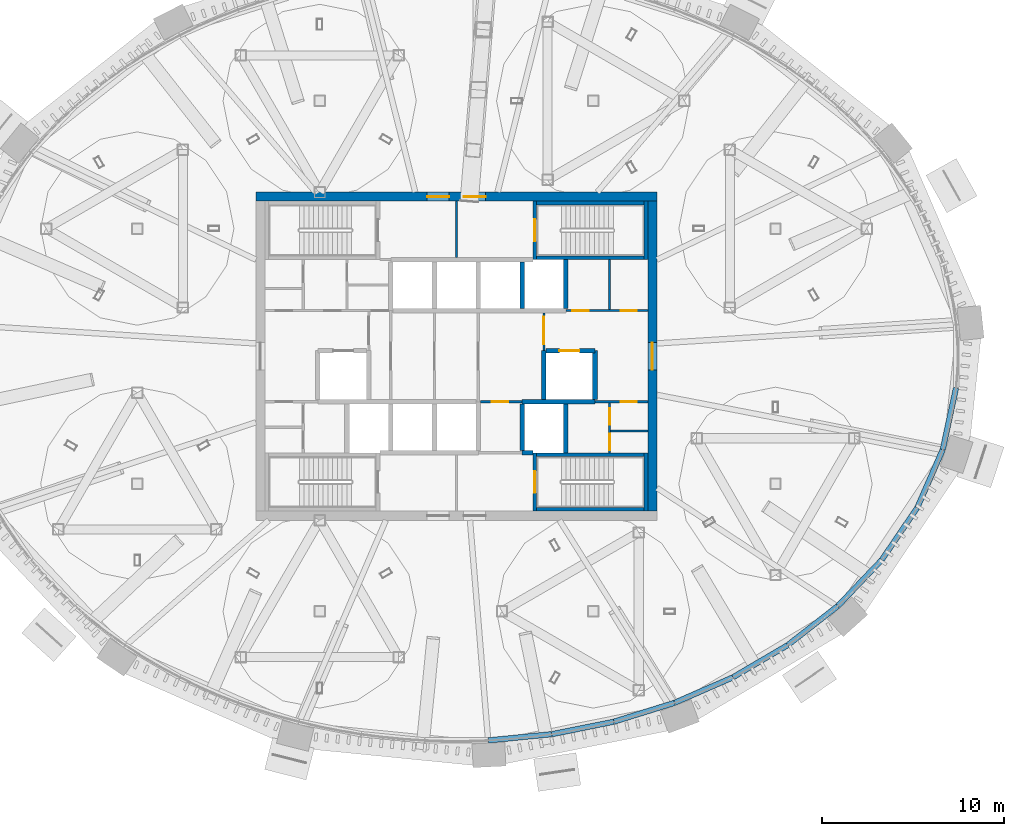
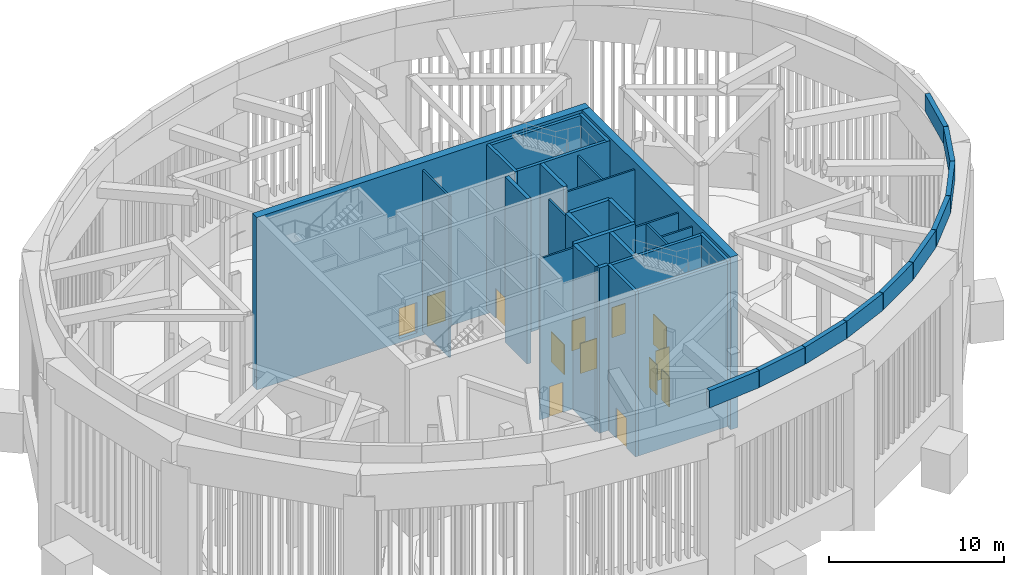
# One storey, part 8 of 14: 37 walls, 13 doors, 13 openings.
"""IFC4 building model written with IfcOpenShell, lengths in metres."""

from ifc_helpers import new_model, si_unit, direction, frame, frame_2d, origin, place, context, subcontext, project, spatial, rectangle, extrude, source, transform, mapped, material, layer, layer_set, type_object, element, fill, save


model = new_model("IFC4")

# Units and contexts
model_context = context("Model", 3, precision=1e-05, world=origin(), true_north=direction((0.0, 1.0)))
body_context = subcontext(model_context, "Body", "Model", "MODEL_VIEW")
ifc_project = project(units=[si_unit("LENGTHUNIT", "METRE"), si_unit("AREAUNIT", "SQUARE_METRE"), si_unit("VOLUMEUNIT", "CUBIC_METRE"), si_unit("PLANEANGLEUNIT", "RADIAN"), si_unit("MASSUNIT", "GRAM", prefix="KILO")], contexts=[model_context])

# Site, building, storey
site_placement = place(None, origin())
site = spatial("IfcSite", under=ifc_project, at=site_placement, CompositionType="ELEMENT")
building_placement = place(site_placement, origin())
building = spatial("IfcBuilding", under=site, at=building_placement, Name="Embergate Tower", CompositionType="ELEMENT")
storey_placement = place(building_placement, frame((0.0, 0.0, 340.0)))
storey = spatial("IfcBuildingStorey", under=building, at=storey_placement, Name="L79", CompositionType="ELEMENT", Elevation=340.0)

# Wall, openings, doors
ifc_material_1 = material(Name="Concrete C50", Category="concrete")
ifc_layer_1 = layer(ifc_material_1, 0.5)
ifc_layer_set_1 = layer_set([ifc_layer_1], Name="Concrete C50")
wall_type_1 = type_object("IfcWallType", Name="Core outer wall C50 500", PredefinedType="SHEAR", material=ifc_layer_set_1)
shared_shape_1 = source(origin(), body_context, "Body", "SweptSolid", [
    extrude(rectangle(XDim=22.0, YDim=0.5, at=frame_2d((11.0, 0.0))), origin(), (0.0, 0.0, 1.0), 12.050048828125),
])
wall_1_placement = place(storey_placement, frame((-11.0, 8.75, -0.300048828125), z_axis=(0.0, 0.0, 1.0), x_axis=(1.0, 0.0, 0.0)))
wall_1 = element("IfcWall", 1, at=wall_1_placement, inside=storey, type_object=wall_type_1, Name="CW-L79-N", PredefinedType="SHEAR", context=body_context, shape_type="MappedRepresentation", body=[
    mapped(shared_shape_1, transform((0.0, 0.0, 0.0))),
])
shared_shape_2 = source(origin(), body_context, "Body", "SweptSolid", [
    extrude(rectangle(XDim=1.199951171875, YDim=2.10009765625, at=frame_2d((0.60009765625, 1.050048828125))), frame((0.0, 0.260009765625, 0.0), z_axis=(0.0, -1.0, 0.0), x_axis=(1.0, 0.0, 0.0)), (0.0, 0.0, 1.0), 0.52001953125),
])
opening_1_placement = place(wall_1_placement, frame((9.39990234375, 0.0, 0.300048828125)))
opening_1 = element("IfcOpeningElement", 2, at=opening_1_placement, cuts=wall_1, Name="Opening IF-1", PredefinedType="OPENING", context=body_context, shape_type="MappedRepresentation", body=[
    mapped(shared_shape_2, transform((0.0, 0.0, 0.0))),
])
opening_2_placement = place(wall_1_placement, frame((11.39990234375, 0.0, 0.300048828125)))
opening_2 = element("IfcOpeningElement", 3, at=opening_2_placement, cuts=wall_1, Name="Opening IF-1", PredefinedType="OPENING", context=body_context, shape_type="MappedRepresentation", body=[
    mapped(shared_shape_2, transform((0.0, 0.0, 0.0))),
])
ifc_material_2 = material(Name="Escape fire door 1200")
door_type_1 = type_object("IfcDoorType", Name="Escape fire door 1200", OperationType="SINGLE_SWING_LEFT", PredefinedType="DOOR", material=ifc_material_2)
shared_shape_3 = source(origin(), body_context, "Body", "SweptSolid", [
    extrude(rectangle(XDim=1.199951171875, YDim=2.10009765625, at=frame_2d((0.60009765625, 1.050048828125))), frame((0.0, 0.02490234375, 0.0), z_axis=(0.0, -1.0, 0.0), x_axis=(1.0, 0.0, 0.0)), (0.0, 0.0, 1.0), 0.050048828125),
])
door_1_placement = place(opening_1_placement, origin())
door_1 = element("IfcDoor", 4, at=door_1_placement, inside=storey, type_object=door_type_1, Name="IF-1 door", OperationType="SINGLE_SWING_RIGHT", OverallHeight=2.10009765625, OverallWidth=1.199951171875, PredefinedType="DOOR", context=body_context, shape_type="MappedRepresentation", body=[
    mapped(shared_shape_3, transform((0.0, 0.0, 0.0))),
])
fill(opening_1, door_1)
door_2_placement = place(opening_2_placement, origin())
door_2 = element("IfcDoor", 5, at=door_2_placement, inside=storey, type_object=door_type_1, Name="IF-1 door", OperationType="SINGLE_SWING_RIGHT", OverallHeight=2.10009765625, OverallWidth=1.199951171875, PredefinedType="DOOR", context=body_context, shape_type="MappedRepresentation", body=[
    mapped(shared_shape_3, transform((0.0, 0.0, 0.0))),
])
fill(opening_2, door_2)

# Wall, opening, door
shared_shape_4 = source(origin(), body_context, "Body", "SweptSolid", [
    extrude(rectangle(XDim=17.0, YDim=0.5, at=frame_2d((8.5, 0.0))), origin(), (0.0, 0.0, 1.0), 12.050048828125),
])
wall_2_placement = place(storey_placement, frame((10.75, -8.5, -0.300048828125), z_axis=(0.0, 0.0, 1.0), x_axis=(0.0, 1.0, 0.0)))
wall_2 = element("IfcWall", 6, at=wall_2_placement, inside=storey, type_object=wall_type_1, Name="CW-L79-E", PredefinedType="SHEAR", context=body_context, shape_type="MappedRepresentation", body=[
    mapped(shared_shape_4, transform((0.0, 0.0, 0.0))),
])
shared_shape_5 = source(origin(), body_context, "Body", "SweptSolid", [
    extrude(rectangle(XDim=1.5, YDim=2.10009765625, at=frame_2d((0.75, 1.050048828125))), frame((0.0, 0.260009765625, 0.0), z_axis=(0.0, -1.0, 0.0), x_axis=(1.0, 0.0, 0.0)), (0.0, 0.0, 1.0), 0.52001953125),
])
opening_3_placement = place(wall_2_placement, frame((7.75, 0.0, 0.300048828125)))
opening_3 = element("IfcOpeningElement", 7, at=opening_3_placement, cuts=wall_2, Name="Opening IF-3", PredefinedType="OPENING", context=body_context, shape_type="MappedRepresentation", body=[
    mapped(shared_shape_5, transform((0.0, 0.0, 0.0))),
])
ifc_material_3 = material(Name="Lobby fire door pair 1500")
door_type_2 = type_object("IfcDoorType", Name="Lobby fire door pair 1500", OperationType="DOUBLE_DOOR_SINGLE_SWING", PredefinedType="DOOR", material=ifc_material_3)
shared_shape_6 = source(origin(), body_context, "Body", "SweptSolid", [
    extrude(rectangle(XDim=1.5, YDim=2.10009765625, at=frame_2d((0.75, 1.050048828125))), frame((0.0, 0.02490234375, 0.0), z_axis=(0.0, -1.0, 0.0), x_axis=(1.0, 0.0, 0.0)), (0.0, 0.0, 1.0), 0.050048828125),
])
door_3_placement = place(opening_3_placement, origin())
door_3 = element("IfcDoor", 8, at=door_3_placement, inside=storey, type_object=door_type_2, Name="IF-3 door", OperationType="DOUBLE_DOOR_SINGLE_SWING", OverallHeight=2.10009765625, OverallWidth=1.5, PredefinedType="DOOR", context=body_context, shape_type="MappedRepresentation", body=[
    mapped(shared_shape_6, transform((0.0, 0.0, 0.0))),
])
fill(opening_3, door_3)

# Walls
ifc_material_4 = material(Name="Brick masonry with terracotta coping", Category="masonry")
ifc_layer_2 = layer(ifc_material_4, 0.300048828125)
ifc_layer_set_2 = layer_set([ifc_layer_2], Name="Brick masonry with terracotta coping")
wall_type_2 = type_object("IfcWallType", Name="Roof edge parapet", PredefinedType="PARAPET", material=ifc_layer_set_2)
shared_shape_7 = source(origin(), body_context, "Body", "SweptSolid", [
    extrude(rectangle(XDim=3.449462890625, YDim=0.300048828125, at=frame_2d((1.724609375, 0.0))), origin(), (0.0, 0.0, 1.0), 1.199951171875),
])
wall_3_placement = place(storey_placement, frame((26.675048828125, -5.1162109375, 12.0), z_axis=(0.0, 0.0, 1.0), x_axis=(0.21041351553, 0.977612475617, 0.0)))
element("IfcWall", 9, at=wall_3_placement, inside=storey, type_object=wall_type_2, Name="Roof edge parapet 43", PredefinedType="PARAPET", context=body_context, shape_type="MappedRepresentation", body=[
    mapped(shared_shape_7, transform((0.0, 0.0, 0.0))),
])
shared_shape_8 = source(origin(), body_context, "Body", "SweptSolid", [
    extrude(rectangle(XDim=3.453369140625, YDim=0.300048828125, at=frame_2d((1.7265625, 0.0))), origin(), (0.0, 0.0, 1.0), 1.199951171875),
])
wall_4_placement = place(storey_placement, frame((25.281982421875, -8.2978515625, 12.0), z_axis=(0.0, 0.0, 1.0), x_axis=(0.401627168465, 0.915803263562, 0.0)))
element("IfcWall", 10, at=wall_4_placement, inside=storey, type_object=wall_type_2, Name="Roof edge parapet 42", PredefinedType="PARAPET", context=body_context, shape_type="MappedRepresentation", body=[
    mapped(shared_shape_8, transform((0.0, 0.0, 0.0))),
])
shared_shape_9 = source(origin(), body_context, "Body", "SweptSolid", [
    extrude(rectangle(XDim=3.455810546875, YDim=0.300048828125, at=frame_2d((1.72802734375, 0.0))), origin(), (0.0, 0.0, 1.0), 1.199951171875),
])
wall_5_placement = place(storey_placement, frame((23.32861328125, -11.172607421875, 12.0), z_axis=(0.0, 0.0, 1.0), x_axis=(0.562468457955, 0.826818743018, 0.0)))
element("IfcWall", 11, at=wall_5_placement, inside=storey, type_object=wall_type_2, Name="Roof edge parapet 41", PredefinedType="PARAPET", context=body_context, shape_type="MappedRepresentation", body=[
    mapped(shared_shape_9, transform((0.0, 0.0, 0.0))),
])
shared_shape_10 = source(origin(), body_context, "Body", "SweptSolid", [
    extrude(rectangle(XDim=3.460693359375, YDim=0.300048828125, at=frame_2d((1.73046875, 0.0))), origin(), (0.0, 0.0, 1.0), 1.199951171875),
])
wall_6_placement = place(storey_placement, frame((20.927978515625, -13.69287109375, 12.0), z_axis=(0.0, 0.0, 1.0), x_axis=(0.690081348948, 0.723731809329, 0.0)))
element("IfcWall", 12, at=wall_6_placement, inside=storey, type_object=wall_type_2, Name="Roof edge parapet 40", PredefinedType="PARAPET", context=body_context, shape_type="MappedRepresentation", body=[
    mapped(shared_shape_10, transform((0.0, 0.0, 0.0))),
])
shared_shape_11 = source(origin(), body_context, "Body", "SweptSolid", [
    extrude(rectangle(XDim=3.4638671875, YDim=0.300048828125, at=frame_2d((1.73193359375, 0.0))), origin(), (0.0, 0.0, 1.0), 1.199951171875),
])
wall_7_placement = place(storey_placement, frame((18.182861328125, -15.837890625, 12.0), z_axis=(0.0, 0.0, 1.0), x_axis=(0.78821988473, 0.615393705945, 0.0)))
element("IfcWall", 13, at=wall_7_placement, inside=storey, type_object=wall_type_2, Name="Roof edge parapet 39", PredefinedType="PARAPET", context=body_context, shape_type="MappedRepresentation", body=[
    mapped(shared_shape_11, transform((0.0, 0.0, 0.0))),
])
shared_shape_12 = source(origin(), body_context, "Body", "SweptSolid", [
    extrude(rectangle(XDim=3.465576171875, YDim=0.300048828125, at=frame_2d((1.73291015625, 0.0))), origin(), (0.0, 0.0, 1.0), 1.199951171875),
])
wall_8_placement = place(storey_placement, frame((15.1787109375, -17.60498046875, 12.0), z_axis=(0.0, 0.0, 1.0), x_axis=(0.862144217858, 0.506662952675, 0.0)))
element("IfcWall", 14, at=wall_8_placement, inside=storey, type_object=wall_type_2, Name="Roof edge parapet 38", PredefinedType="PARAPET", context=body_context, shape_type="MappedRepresentation", body=[
    mapped(shared_shape_12, transform((0.0, 0.0, 0.0))),
])
shared_shape_13 = source(origin(), body_context, "Body", "SweptSolid", [
    extrude(rectangle(XDim=3.468505859375, YDim=0.300048828125, at=frame_2d((1.734375, 0.0))), origin(), (0.0, 0.0, 1.0), 1.199951171875),
])
wall_9_placement = place(storey_placement, frame((11.983154296875, -19.00390625, 12.0), z_axis=(0.0, 0.0, 1.0), x_axis=(0.916196102807, 0.400730209994, 0.0)))
element("IfcWall", 15, at=wall_9_placement, inside=storey, type_object=wall_type_2, Name="Roof edge parapet 37", PredefinedType="PARAPET", context=body_context, shape_type="MappedRepresentation", body=[
    mapped(shared_shape_13, transform((0.0, 0.0, 0.0))),
])
shared_shape_14 = source(origin(), body_context, "Body", "SweptSolid", [
    extrude(rectangle(XDim=3.469970703125, YDim=0.300048828125, at=frame_2d((1.73486328125, 0.0))), origin(), (0.0, 0.0, 1.0), 1.199951171875),
])
for number, where, z_axis, x_axis, name in (
    (16, (5.229736328125, -20.72998046875, 12.0), (0.0, 0.0, 1.0), (0.980502121513, 0.196508497803, 0.0), "Roof edge parapet 35"),
    (17, (8.651611328125, -20.04296875, 12.0), (0.0, 0.0, 1.0), (0.954752495832, 0.297401532784, 0.0), "Roof edge parapet 36"),
):
    element("IfcWall", number, at=place(storey_placement, frame(where, z_axis=z_axis, x_axis=x_axis)), inside=storey, type_object=wall_type_2, Name=name, PredefinedType="PARAPET", context=body_context, shape_type="MappedRepresentation", body=[
        mapped(shared_shape_14, transform((0.0, 0.0, 0.0))),
    ])
shared_shape_15 = source(origin(), body_context, "Body", "SweptSolid", [
    extrude(rectangle(XDim=3.470458984375, YDim=0.300048828125, at=frame_2d((1.7353515625, 0.0))), origin(), (0.0, 0.0, 1.0), 1.199951171875),
])
wall_10_placement = place(storey_placement, frame((1.756103515625, -21.072021484375, 12.0), z_axis=(0.0, 0.0, 1.0), x_axis=(0.99521458466, 0.097713512271, 0.0)))
element("IfcWall", 18, at=wall_10_placement, inside=storey, type_object=wall_type_2, Name="Roof edge parapet 34", PredefinedType="PARAPET", context=body_context, shape_type="MappedRepresentation", body=[
    mapped(shared_shape_15, transform((0.0, 0.0, 0.0))),
])
ifc_layer_3 = layer(ifc_material_1, 0.199951171875)
ifc_layer_set_3 = layer_set([ifc_layer_3], Name="Concrete C50")
wall_type_3 = type_object("IfcWallType", Name="Stair enclosure wall reinforced concrete 250", PredefinedType="SHEAR", material=ifc_layer_set_3)
shared_shape_16 = source(origin(), body_context, "Body", "SweptSolid", [
    extrude(rectangle(XDim=6.300048828125, YDim=0.199951171875, at=frame_2d((3.14990234375, 0.0))), origin(), (0.0, 0.0, 1.0), 11.550048828125),
])
for number, where, z_axis, x_axis, name in (
    (19, (10.5, 5.39990234375, 0.0), (0.0, 0.0, 1.0), (-1.0, 0.0, 0.0), "SE-1 wall"),
    (20, (4.199951171875, -5.39990234375, 0.0), (0.0, 0.0, 1.0), (1.0, 0.0, 0.0), "SE-1 wall"),
):
    element("IfcWall", number, at=place(storey_placement, frame(where, z_axis=z_axis, x_axis=x_axis)), inside=storey, type_object=wall_type_3, Name=name, PredefinedType="SHEAR", context=body_context, shape_type="MappedRepresentation", body=[
        mapped(shared_shape_16, transform((0.0, 0.0, 0.0))),
    ])
ifc_material_5 = material(Name="Core partition blockwork 120")
ifc_layer_4 = layer(ifc_material_5, 0.1201171875)
ifc_layer_set_4 = layer_set([ifc_layer_4], Name="Core partition blockwork 120")
wall_type_4 = type_object("IfcWallType", Name="Core partition blockwork 120", PredefinedType="PARTITIONING", material=ifc_layer_set_4)
shared_shape_17 = source(origin(), body_context, "Body", "SweptSolid", [
    extrude(rectangle(XDim=2.739990234375, YDim=0.1201171875, at=frame_2d((1.3701171875, 0.0))), origin(), (0.0, 0.0, 1.0), 11.25),
])
wall_11_placement = place(storey_placement, frame((8.39990234375, 2.56005859375, 0.0), z_axis=(0.0, 0.0, 1.0), x_axis=(0.0, 1.0, 0.0)))
element("IfcWall", 21, at=wall_11_placement, inside=storey, type_object=wall_type_4, Name="IP-3 wall", PredefinedType="PARTITIONING", context=body_context, shape_type="MappedRepresentation", body=[
    mapped(shared_shape_17, transform((0.0, 0.0, 0.0))),
])

# Wall, openings, doors
wall_12_placement = place(storey_placement, frame((8.39990234375, -5.300048828125, 0.0), z_axis=(0.0, 0.0, 1.0), x_axis=(0.0, 1.0, 0.0)))
wall_12 = element("IfcWall", 22, at=wall_12_placement, inside=storey, type_object=wall_type_4, Name="IP-3 wall", PredefinedType="PARTITIONING", context=body_context, shape_type="MappedRepresentation", body=[
    mapped(shared_shape_17, transform((0.0, 0.0, 0.0))),
])
shared_shape_18 = source(origin(), body_context, "Body", "SweptSolid", [
    extrude(rectangle(XDim=0.89990234375, YDim=2.10009765625, at=frame_2d((0.449951171875, 1.050048828125))), frame((0.0, 0.070068359375, 0.0), z_axis=(0.0, -1.0, 0.0), x_axis=(1.0, 0.0, 0.0)), (0.0, 0.0, 1.0), 0.14013671875),
])
opening_4_placement = place(wall_12_placement, frame((1.552001953125, 0.0, 0.0)))
opening_4 = element("IfcOpeningElement", 23, at=opening_4_placement, cuts=wall_12, Name="Opening ID-1", PredefinedType="OPENING", context=body_context, shape_type="MappedRepresentation", body=[
    mapped(shared_shape_18, transform((0.0, 0.0, 0.0))),
])
opening_5_placement = place(wall_12_placement, frame((0.152099609375, 0.0, 0.0)))
opening_5 = element("IfcOpeningElement", 24, at=opening_5_placement, cuts=wall_12, Name="Opening ID-1", PredefinedType="OPENING", context=body_context, shape_type="MappedRepresentation", body=[
    mapped(shared_shape_18, transform((0.0, 0.0, 0.0))),
])
ifc_material_6 = material(Name="Interior door 900")
door_type_3 = type_object("IfcDoorType", Name="Interior door 900", OperationType="SINGLE_SWING_LEFT", PredefinedType="DOOR", material=ifc_material_6)
shared_shape_19 = source(origin(), body_context, "Body", "SweptSolid", [
    extrude(rectangle(XDim=0.89990234375, YDim=2.10009765625, at=frame_2d((0.449951171875, 1.050048828125))), frame((0.0, 0.02490234375, 0.0), z_axis=(0.0, -1.0, 0.0), x_axis=(1.0, 0.0, 0.0)), (0.0, 0.0, 1.0), 0.050048828125),
])
door_4_placement = place(opening_4_placement, origin())
door_4 = element("IfcDoor", 25, at=door_4_placement, inside=storey, type_object=door_type_3, Name="ID-1 door", OperationType="SINGLE_SWING_LEFT", OverallHeight=2.10009765625, OverallWidth=0.89990234375, PredefinedType="DOOR", context=body_context, shape_type="MappedRepresentation", body=[
    mapped(shared_shape_19, transform((0.0, 0.0, 0.0))),
])
fill(opening_4, door_4)
door_5_placement = place(opening_5_placement, origin())
door_5 = element("IfcDoor", 26, at=door_5_placement, inside=storey, type_object=door_type_3, Name="ID-1 door", OperationType="SINGLE_SWING_RIGHT", OverallHeight=2.10009765625, OverallWidth=0.89990234375, PredefinedType="DOOR", context=body_context, shape_type="MappedRepresentation", body=[
    mapped(shared_shape_19, transform((0.0, 0.0, 0.0))),
])
fill(opening_5, door_5)

# Walls
ifc_layer_5 = layer(ifc_material_1, 0.25)
ifc_layer_set_5 = layer_set([ifc_layer_5], Name="Concrete C50")
wall_type_5 = type_object("IfcWallType", Name="Hoistway wall reinforced concrete 250", PredefinedType="SHEAR", material=ifc_layer_set_5)
shared_shape_20 = source(origin(), body_context, "Body", "SweptSolid", [
    extrude(rectangle(XDim=2.550048828125, YDim=0.25, at=frame_2d((1.27490234375, 0.0))), origin(), (0.0, 0.0, 1.0), 11.550048828125),
])
for number, where, z_axis, x_axis, name in (
    (27, (3.60009765625, 2.625, 0.0), (0.0, 0.0, 1.0), (0.0, 1.0, 0.0), "HW-1 wall"),
    (28, (3.60009765625, -2.625, 0.0), (0.0, 0.0, 1.0), (0.0, -1.0, 0.0), "HW-1 wall"),
):
    element("IfcWall", number, at=place(storey_placement, frame(where, z_axis=z_axis, x_axis=x_axis)), inside=storey, type_object=wall_type_5, Name=name, PredefinedType="SHEAR", context=body_context, shape_type="MappedRepresentation", body=[
        mapped(shared_shape_20, transform((0.0, 0.0, 0.0))),
    ])
shared_shape_21 = source(origin(), body_context, "Body", "SweptSolid", [
    extrude(rectangle(XDim=2.675048828125, YDim=0.25, at=frame_2d((1.33740234375, 0.0))), origin(), (0.0, 0.0, 1.0), 11.550048828125),
])
for number, where, z_axis, x_axis, name in (
    (29, (6.0, 2.625, 0.0), (0.0, 0.0, 1.0), (0.0, 1.0, 0.0), "HW-1 wall"),
    (30, (6.0, -5.300048828125, 0.0), (0.0, 0.0, 1.0), (0.0, 1.0, 0.0), "HW-1 wall"),
    (31, (4.800048828125, -2.375, 0.0), (0.0, 0.0, 1.0), (0.0, 1.0, 0.0), "HW-1 wall"),
):
    element("IfcWall", number, at=place(storey_placement, frame(where, z_axis=z_axis, x_axis=x_axis)), inside=storey, type_object=wall_type_5, Name=name, PredefinedType="SHEAR", context=body_context, shape_type="MappedRepresentation", body=[
        mapped(shared_shape_21, transform((0.0, 0.0, 0.0))),
    ])

# Wall, opening, door
wall_13_placement = place(storey_placement, frame((7.60009765625, 0.300048828125, 0.0), z_axis=(0.0, 0.0, 1.0), x_axis=(-1.0, 0.0, 0.0)))
wall_13 = element("IfcWall", 32, at=wall_13_placement, inside=storey, type_object=wall_type_5, Name="HW-1 wall", PredefinedType="SHEAR", context=body_context, shape_type="MappedRepresentation", body=[
    mapped(shared_shape_21, transform((0.0, 0.0, 0.0))),
])
shared_shape_22 = source(origin(), body_context, "Body", "SweptSolid", [
    extrude(rectangle(XDim=1.10009765625, YDim=2.10009765625, at=frame_2d((0.550048828125, 1.050048828125))), frame((0.0, 0.135009765625, 0.0), z_axis=(0.0, -1.0, 0.0), x_axis=(1.0, 0.0, 0.0)), (0.0, 0.0, 1.0), 0.27001953125),
])
opening_6_placement = place(wall_13_placement, frame((0.85009765625, 0.0, 0.0)))
opening_6 = element("IfcOpeningElement", 33, at=opening_6_placement, cuts=wall_13, Name="Opening LD", PredefinedType="OPENING", context=body_context, shape_type="MappedRepresentation", body=[
    mapped(shared_shape_22, transform((0.0, 0.0, 0.0))),
])
ifc_material_7 = material(Name="Landing door sliding 1100")
door_type_4 = type_object("IfcDoorType", Name="Landing door sliding 1100", OperationType="SLIDING_TO_LEFT", PredefinedType="DOOR", material=ifc_material_7)
shared_shape_23 = source(origin(), body_context, "Body", "SweptSolid", [
    extrude(rectangle(XDim=1.10009765625, YDim=2.10009765625, at=frame_2d((0.550048828125, 1.050048828125))), frame((0.0, 0.02490234375, 0.0), z_axis=(0.0, -1.0, 0.0), x_axis=(1.0, 0.0, 0.0)), (0.0, 0.0, 1.0), 0.050048828125),
])
door_6_placement = place(opening_6_placement, origin())
door_6 = element("IfcDoor", 34, at=door_6_placement, inside=storey, type_object=door_type_4, Name="LD door", OperationType="SLIDING_TO_LEFT", OverallHeight=2.10009765625, OverallWidth=1.10009765625, PredefinedType="DOOR", context=body_context, shape_type="MappedRepresentation", body=[
    mapped(shared_shape_23, transform((0.0, 0.0, 0.0))),
])
fill(opening_6, door_6)

# Wall
wall_14_placement = place(storey_placement, frame((7.60009765625, -2.375, 0.0), z_axis=(0.0, 0.0, 1.0), x_axis=(0.0, 1.0, 0.0)))
element("IfcWall", 35, at=wall_14_placement, inside=storey, type_object=wall_type_5, Name="HW-1 wall", PredefinedType="SHEAR", context=body_context, shape_type="MappedRepresentation", body=[
    mapped(shared_shape_21, transform((0.0, 0.0, 0.0))),
])

# Wall, openings, doors
shared_shape_24 = source(origin(), body_context, "Body", "SweptSolid", [
    extrude(rectangle(XDim=4.5, YDim=0.1201171875, at=frame_2d((2.25, 0.0))), origin(), (0.0, 0.0, 1.0), 11.25),
])
wall_15_placement = place(storey_placement, frame((6.0, 2.5, 0.0), z_axis=(0.0, 0.0, 1.0), x_axis=(1.0, 0.0, 0.0)))
wall_15 = element("IfcWall", 36, at=wall_15_placement, inside=storey, type_object=wall_type_4, Name="IP-3 wall", PredefinedType="PARTITIONING", context=body_context, shape_type="MappedRepresentation", body=[
    mapped(shared_shape_24, transform((0.0, 0.0, 0.0))),
])
opening_7_placement = place(wall_15_placement, frame((0.35009765625, 0.0, 0.0)))
opening_7 = element("IfcOpeningElement", 37, at=opening_7_placement, cuts=wall_15, Name="Opening ID-1", PredefinedType="OPENING", context=body_context, shape_type="MappedRepresentation", body=[
    mapped(shared_shape_18, transform((0.0, 0.0, 0.0))),
])
opening_8_placement = place(wall_15_placement, frame((3.0, 0.0, 0.0)))
opening_8 = element("IfcOpeningElement", 38, at=opening_8_placement, cuts=wall_15, Name="Opening ID-1", PredefinedType="OPENING", context=body_context, shape_type="MappedRepresentation", body=[
    mapped(shared_shape_18, transform((0.0, 0.0, 0.0))),
])
door_7_placement = place(opening_7_placement, origin())
door_7 = element("IfcDoor", 39, at=door_7_placement, inside=storey, type_object=door_type_3, Name="ID-1 door", OperationType="SINGLE_SWING_LEFT", OverallHeight=2.10009765625, OverallWidth=0.89990234375, PredefinedType="DOOR", context=body_context, shape_type="MappedRepresentation", body=[
    mapped(shared_shape_19, transform((0.0, 0.0, 0.0))),
])
fill(opening_7, door_7)
door_8_placement = place(opening_8_placement, origin())
door_8 = element("IfcDoor", 40, at=door_8_placement, inside=storey, type_object=door_type_3, Name="ID-1 door", OperationType="SINGLE_SWING_LEFT", OverallHeight=2.10009765625, OverallWidth=0.89990234375, PredefinedType="DOOR", context=body_context, shape_type="MappedRepresentation", body=[
    mapped(shared_shape_19, transform((0.0, 0.0, 0.0))),
])
fill(opening_8, door_8)

# Wall, opening, door
shared_shape_25 = source(origin(), body_context, "Body", "SweptSolid", [
    extrude(rectangle(XDim=2.89990234375, YDim=0.1201171875, at=frame_2d((1.449951171875, 0.0))), origin(), (0.0, 0.0, 1.0), 11.25),
])
wall_16_placement = place(storey_placement, frame((10.5, -2.5, 0.0), z_axis=(0.0, 0.0, 1.0), x_axis=(-1.0, 0.0, 0.0)))
wall_16 = element("IfcWall", 41, at=wall_16_placement, inside=storey, type_object=wall_type_4, Name="IP-3 wall", PredefinedType="PARTITIONING", context=body_context, shape_type="MappedRepresentation", body=[
    mapped(shared_shape_25, transform((0.0, 0.0, 0.0))),
])
opening_9_placement = place(wall_16_placement, frame((0.60009765625, 0.0, 0.0)))
opening_9 = element("IfcOpeningElement", 42, at=opening_9_placement, cuts=wall_16, Name="Opening ID-1", PredefinedType="OPENING", context=body_context, shape_type="MappedRepresentation", body=[
    mapped(shared_shape_18, transform((0.0, 0.0, 0.0))),
])
door_9_placement = place(opening_9_placement, origin())
door_9 = element("IfcDoor", 43, at=door_9_placement, inside=storey, type_object=door_type_3, Name="ID-1 door", OperationType="SINGLE_SWING_RIGHT", OverallHeight=2.10009765625, OverallWidth=0.89990234375, PredefinedType="DOOR", context=body_context, shape_type="MappedRepresentation", body=[
    mapped(shared_shape_19, transform((0.0, 0.0, 0.0))),
])
fill(opening_9, door_9)

# Walls
shared_shape_26 = source(origin(), body_context, "Body", "SweptSolid", [
    extrude(rectangle(XDim=4.0, YDim=0.25, at=frame_2d((2.0, 0.0))), origin(), (0.0, 0.0, 1.0), 11.550048828125),
])
wall_17_placement = place(storey_placement, frame((7.60009765625, -2.5, 0.0), z_axis=(0.0, 0.0, 1.0), x_axis=(-1.0, 0.0, 0.0)))
element("IfcWall", 44, at=wall_17_placement, inside=storey, type_object=wall_type_5, Name="HW-1 wall", PredefinedType="SHEAR", context=body_context, shape_type="MappedRepresentation", body=[
    mapped(shared_shape_26, transform((0.0, 0.0, 0.0))),
])
shared_shape_27 = source(origin(), body_context, "Body", "SweptSolid", [
    extrude(rectangle(XDim=0.599853515625, YDim=0.25, at=frame_2d((0.2998046875, 0.0))), origin(), (0.0, 0.0, 1.0), 11.550048828125),
])
wall_18_placement = place(storey_placement, frame((3.60009765625, -5.300048828125, 0.0), z_axis=(0.0, 0.0, 1.0), x_axis=(1.0, 0.0, 0.0)))
element("IfcWall", 45, at=wall_18_placement, inside=storey, type_object=wall_type_5, Name="HW-1 wall", PredefinedType="SHEAR", context=body_context, shape_type="MappedRepresentation", body=[
    mapped(shared_shape_27, transform((0.0, 0.0, 0.0))),
])

# Wall, opening, door
shared_shape_28 = source(origin(), body_context, "Body", "SweptSolid", [
    extrude(rectangle(XDim=2.074951171875, YDim=0.1201171875, at=frame_2d((1.03759765625, 0.0))), origin(), (0.0, 0.0, 1.0), 11.25),
])
wall_19_placement = place(storey_placement, frame((4.800048828125, 0.300048828125, 0.0), z_axis=(0.0, 0.0, 1.0), x_axis=(0.0, 1.0, 0.0)))
wall_19 = element("IfcWall", 46, at=wall_19_placement, inside=storey, type_object=wall_type_4, Name="IP-3 wall", PredefinedType="PARTITIONING", context=body_context, shape_type="MappedRepresentation", body=[
    mapped(shared_shape_28, transform((0.0, 0.0, 0.0))),
])
shared_shape_29 = source(origin(), body_context, "Body", "SweptSolid", [
    extrude(rectangle(XDim=1.5, YDim=2.10009765625, at=frame_2d((0.75, 1.050048828125))), frame((0.0, 0.070068359375, 0.0), z_axis=(0.0, -1.0, 0.0), x_axis=(1.0, 0.0, 0.0)), (0.0, 0.0, 1.0), 0.14013671875),
])
opening_10_placement = place(wall_19_placement, frame((0.35009765625, 0.0, 0.0)))
opening_10 = element("IfcOpeningElement", 47, at=opening_10_placement, cuts=wall_19, Name="Opening IF-3", PredefinedType="OPENING", context=body_context, shape_type="MappedRepresentation", body=[
    mapped(shared_shape_29, transform((0.0, 0.0, 0.0))),
])
door_10_placement = place(opening_10_placement, origin())
door_10 = element("IfcDoor", 48, at=door_10_placement, inside=storey, type_object=door_type_2, Name="IF-3 door", OperationType="DOUBLE_DOOR_SINGLE_SWING", OverallHeight=2.10009765625, OverallWidth=1.5, PredefinedType="DOOR", context=body_context, shape_type="MappedRepresentation", body=[
    mapped(shared_shape_6, transform((0.0, 0.0, 0.0))),
])
fill(opening_10, door_10)

shared_shape_30 = source(origin(), body_context, "Body", "SweptSolid", [
    extrude(rectangle(XDim=2.275146484375, YDim=0.1201171875, at=frame_2d((1.1376953125, 0.0))), origin(), (0.0, 0.0, 1.0), 11.25),
])
wall_20_placement = place(storey_placement, frame((1.324951171875, -2.5, 0.0), z_axis=(0.0, 0.0, 1.0), x_axis=(1.0, 0.0, 0.0)))
wall_20 = element("IfcWall", 49, at=wall_20_placement, inside=storey, type_object=wall_type_4, Name="IP-3 wall", PredefinedType="PARTITIONING", context=body_context, shape_type="MappedRepresentation", body=[
    mapped(shared_shape_30, transform((0.0, 0.0, 0.0))),
])
opening_11_placement = place(wall_20_placement, frame((0.625, 0.0, 0.0)))
opening_11 = element("IfcOpeningElement", 50, at=opening_11_placement, cuts=wall_20, Name="Opening ID-1", PredefinedType="OPENING", context=body_context, shape_type="MappedRepresentation", body=[
    mapped(shared_shape_18, transform((0.0, 0.0, 0.0))),
])
door_11_placement = place(opening_11_placement, origin())
door_11 = element("IfcDoor", 51, at=door_11_placement, inside=storey, type_object=door_type_3, Name="ID-1 door", OperationType="SINGLE_SWING_RIGHT", OverallHeight=2.10009765625, OverallWidth=0.89990234375, PredefinedType="DOOR", context=body_context, shape_type="MappedRepresentation", body=[
    mapped(shared_shape_19, transform((0.0, 0.0, 0.0))),
])
fill(opening_11, door_11)

shared_shape_31 = source(origin(), body_context, "Body", "SweptSolid", [
    extrude(rectangle(XDim=3.199951171875, YDim=0.199951171875, at=frame_2d((1.60009765625, 0.0))), origin(), (0.0, 0.0, 1.0), 11.550048828125),
])
wall_21_placement = place(storey_placement, frame((4.300048828125, 8.5, 0.0), z_axis=(0.0, 0.0, 1.0), x_axis=(0.0, -1.0, 0.0)))
wall_21 = element("IfcWall", 52, at=wall_21_placement, inside=storey, type_object=wall_type_3, Name="SE-1 wall", PredefinedType="SHEAR", context=body_context, shape_type="MappedRepresentation", body=[
    mapped(shared_shape_31, transform((0.0, 0.0, 0.0))),
])
shared_shape_32 = source(origin(), body_context, "Body", "SweptSolid", [
    extrude(rectangle(XDim=1.199951171875, YDim=2.10009765625, at=frame_2d((0.60009765625, 1.050048828125))), frame((0.0, 0.10986328125, 0.0), z_axis=(0.0, -1.0, 0.0), x_axis=(1.0, 0.0, 0.0)), (0.0, 0.0, 1.0), 0.219970703125),
])
opening_12_placement = place(wall_21_placement, frame((1.0, 0.0, 0.0)))
opening_12 = element("IfcOpeningElement", 53, at=opening_12_placement, cuts=wall_21, Name="Opening IF-2", PredefinedType="OPENING", context=body_context, shape_type="MappedRepresentation", body=[
    mapped(shared_shape_32, transform((0.0, 0.0, 0.0))),
])
ifc_material_8 = material(Name="Stair enclosure door 1200")
door_type_5 = type_object("IfcDoorType", Name="Stair enclosure door 1200", OperationType="SINGLE_SWING_LEFT", PredefinedType="DOOR", material=ifc_material_8)
door_12_placement = place(opening_12_placement, origin())
door_12 = element("IfcDoor", 54, at=door_12_placement, inside=storey, type_object=door_type_5, Name="IF-2 door", OperationType="SINGLE_SWING_RIGHT", OverallHeight=2.10009765625, OverallWidth=1.199951171875, PredefinedType="DOOR", context=body_context, shape_type="MappedRepresentation", body=[
    mapped(shared_shape_3, transform((0.0, 0.0, 0.0))),
])
fill(opening_12, door_12)

wall_22_placement = place(storey_placement, frame((4.300048828125, -5.300048828125, 0.0), z_axis=(0.0, 0.0, 1.0), x_axis=(0.0, -1.0, 0.0)))
wall_22 = element("IfcWall", 55, at=wall_22_placement, inside=storey, type_object=wall_type_3, Name="SE-1 wall", PredefinedType="SHEAR", context=body_context, shape_type="MappedRepresentation", body=[
    mapped(shared_shape_31, transform((0.0, 0.0, 0.0))),
])
opening_13_placement = place(wall_22_placement, frame((1.0, 0.0, 0.0)))
opening_13 = element("IfcOpeningElement", 56, at=opening_13_placement, cuts=wall_22, Name="Opening IF-2", PredefinedType="OPENING", context=body_context, shape_type="MappedRepresentation", body=[
    mapped(shared_shape_32, transform((0.0, 0.0, 0.0))),
])
door_13_placement = place(opening_13_placement, origin())
door_13 = element("IfcDoor", 57, at=door_13_placement, inside=storey, type_object=door_type_5, Name="IF-2 door", OperationType="SINGLE_SWING_RIGHT", OverallHeight=2.10009765625, OverallWidth=1.199951171875, PredefinedType="DOOR", context=body_context, shape_type="MappedRepresentation", body=[
    mapped(shared_shape_3, transform((0.0, 0.0, 0.0))),
])
fill(opening_13, door_13)

# Walls
shared_shape_33 = source(origin(), body_context, "Body", "SweptSolid", [
    extrude(rectangle(XDim=3.074951171875, YDim=0.1201171875, at=frame_2d((1.53759765625, 0.0))), origin(), (0.0, 0.0, 1.0), 11.25),
])
wall_23_placement = place(storey_placement, frame((0.0, 5.425048828125, 0.0), z_axis=(0.0, 0.0, 1.0), x_axis=(0.0, 1.0, 0.0)))
element("IfcWall", 58, at=wall_23_placement, inside=storey, type_object=wall_type_4, Name="IP-3 wall", PredefinedType="PARTITIONING", context=body_context, shape_type="MappedRepresentation", body=[
    mapped(shared_shape_33, transform((0.0, 0.0, 0.0))),
])
shared_shape_34 = source(origin(), body_context, "Body", "SweptSolid", [
    extrude(rectangle(XDim=2.0400390625, YDim=0.1201171875, at=frame_2d((1.02001953125, 0.0))), origin(), (0.0, 0.0, 1.0), 11.25),
])
wall_24_placement = place(storey_placement, frame((10.5, -4.095947265625, 0.0), z_axis=(0.0, 0.0, 1.0), x_axis=(-1.0, 0.0, 0.0)))
element("IfcWall", 59, at=wall_24_placement, inside=storey, type_object=wall_type_4, Name="IP-3 wall", PredefinedType="PARTITIONING", context=body_context, shape_type="MappedRepresentation", body=[
    mapped(shared_shape_34, transform((0.0, 0.0, 0.0))),
])
shared_shape_35 = source(origin(), body_context, "Body", "SweptSolid", [
    extrude(rectangle(XDim=6.298095703125, YDim=0.199951171875, at=frame_2d((3.14892578125, 0.0))), origin(), (0.0, 0.0, 1.0), 11.550048828125),
])
for number, where, z_axis, x_axis, name in (
    (60, (10.5, 8.39990234375, 0.0), (0.0, 0.0, 1.0), (-1.0, 0.0, 0.0), "SE-1 wall"),
    (61, (4.201904296875, -8.39990234375, 0.0), (0.0, 0.0, 1.0), (1.0, 0.0, 0.0), "SE-1 wall"),
):
    element("IfcWall", number, at=place(storey_placement, frame(where, z_axis=z_axis, x_axis=x_axis)), inside=storey, type_object=wall_type_3, Name=name, PredefinedType="SHEAR", context=body_context, shape_type="MappedRepresentation", body=[
        mapped(shared_shape_35, transform((0.0, 0.0, 0.0))),
    ])
shared_shape_36 = source(origin(), body_context, "Body", "SweptSolid", [
    extrude(rectangle(XDim=3.197998046875, YDim=0.199951171875, at=frame_2d((1.59912109375, 0.0))), origin(), (0.0, 0.0, 1.0), 11.550048828125),
])
for number, where, z_axis, x_axis, name in (
    (62, (10.39990234375, 5.302001953125, 0.0), (0.0, 0.0, 1.0), (0.0, 1.0, 0.0), "SE-1 wall"),
    (63, (10.39990234375, -8.5, 0.0), (0.0, 0.0, 1.0), (0.0, 1.0, 0.0), "SE-1 wall"),
):
    element("IfcWall", number, at=place(storey_placement, frame(where, z_axis=z_axis, x_axis=x_axis)), inside=storey, type_object=wall_type_3, Name=name, PredefinedType="SHEAR", context=body_context, shape_type="MappedRepresentation", body=[
        mapped(shared_shape_36, transform((0.0, 0.0, 0.0))),
    ])

save(model, "model.ifc")
